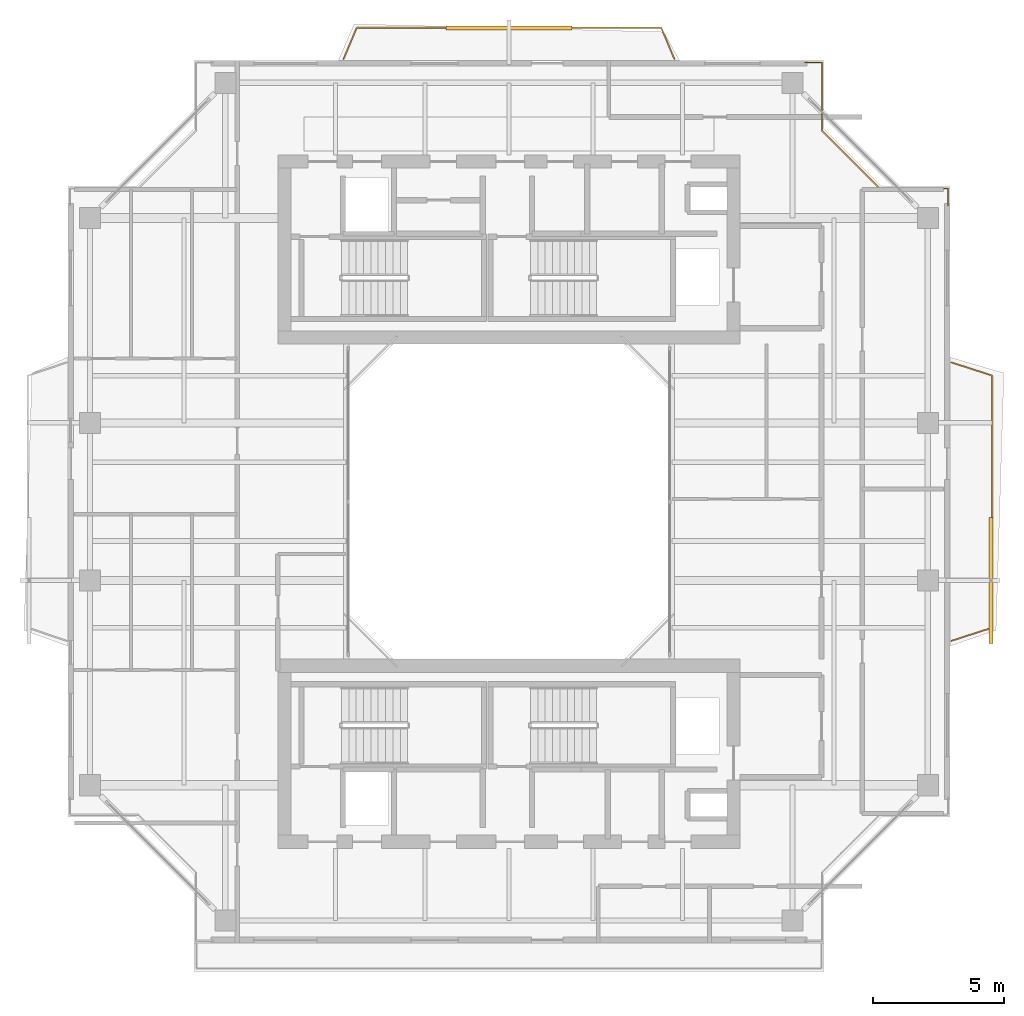
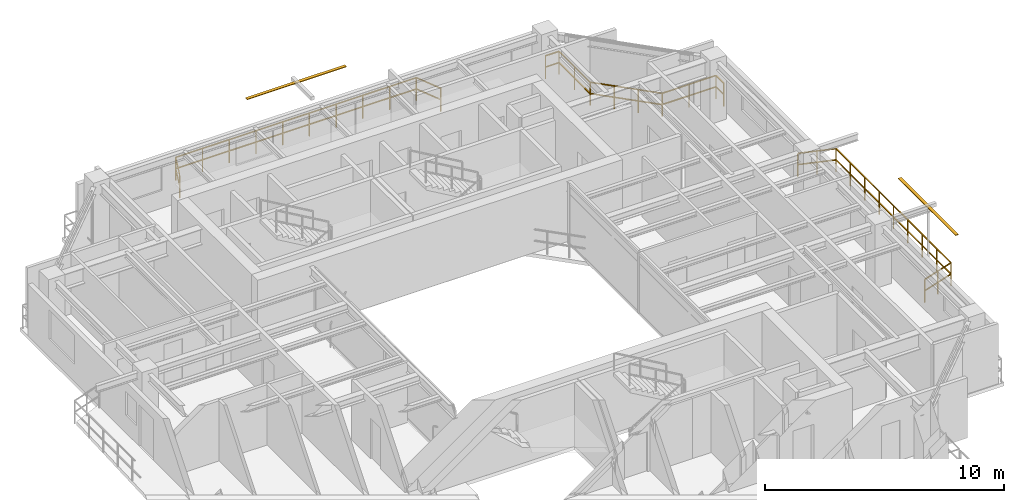
# One storey, part 16 of 16: 3 railings, 2 shading devices.
"""IFC4 building model written with IfcOpenShell, lengths in metres."""

from ifc_helpers import new_model, si_unit, direction, frame, origin, origin_2d, place, context, subcontext, project, spatial, rectangle, extrude, source, transform, mapped, material, material_profile, profile_set, type_object, element, save


model = new_model("IFC4")

# Units and contexts
model_context = context("Model", 3, precision=1e-05, world=origin(), true_north=direction((0.0, 1.0)))
body_context = subcontext(model_context, "Body", "Model", "MODEL_VIEW")
ifc_project = project(units=[si_unit("LENGTHUNIT", "METRE"), si_unit("AREAUNIT", "SQUARE_METRE"), si_unit("VOLUMEUNIT", "CUBIC_METRE"), si_unit("PLANEANGLEUNIT", "RADIAN"), si_unit("MASSUNIT", "GRAM", prefix="KILO"), si_unit("THERMODYNAMICTEMPERATUREUNIT", "KELVIN"), si_unit("POWERUNIT", "WATT")], contexts=[model_context])

# Site, building, storey
site_placement = place(None, origin())
site = spatial("IfcSite", under=ifc_project, at=site_placement, CompositionType="ELEMENT")
building_placement = place(site_placement, origin())
building = spatial("IfcBuilding", under=site, at=building_placement, Name="Qiaomeng Ring Towers", CompositionType="ELEMENT")
storey_placement = place(building_placement, frame((0.0, 0.0, 190.5)))
storey = spatial("IfcBuildingStorey", under=building, at=storey_placement, Name="L55", CompositionType="ELEMENT", Elevation=190.5)

# Railings
ifc_material_1 = material(Name="Low-E pale-green laminated safety glass", Category="glass")
railing_type = type_object("IfcRailingType", Name="ARC-RL-BAL1", PredefinedType="BALUSTRADE", material=ifc_material_1)
railing_1_placement = place(storey_placement, frame((35.719970703125, 34.27001953125, 0.0)))
element("IfcRailing", 1, at=railing_1_placement, inside=storey, type_object=railing_type, Name="L55 Balustrade ARC-BAL-NOTCH1-L55-NE", PredefinedType="BALUSTRADE", context=body_context, shape_type="SweptSolid", body=[
    extrude(rectangle(XDim=0.048095703125, YDim=0.048095703125, at=origin_2d()), frame((0.0, 0.0, 1.17578125), z_axis=(0.0, 1.0, 0.0), x_axis=(-1.0, 0.0, 0.0)), (0.0, 0.0, 1.0), 0.64990234375),
    extrude(rectangle(XDim=0.048095703125, YDim=0.048095703125, at=origin_2d()), frame((0.0, 0.0, 0.60009765625), z_axis=(0.0, 1.0, 0.0), x_axis=(-1.0, 0.0, 0.0)), (0.0, 0.0, 1.0), 0.64990234375),
    extrude(rectangle(XDim=0.048095703125, YDim=0.048095703125, at=origin_2d()), frame((0.0, 0.64990234375, 1.17578125), z_axis=(-1.0, 0.0, 0.0), x_axis=(0.0, -1.0, 0.0)), (0.0, 0.0, 1.0), 2.599853515625),
    extrude(rectangle(XDim=0.048095703125, YDim=0.048095703125, at=origin_2d()), frame((0.0, 0.64990234375, 0.60009765625), z_axis=(-1.0, 0.0, 0.0), x_axis=(0.0, -1.0, 0.0)), (0.0, 0.0, 1.0), 2.599853515625),
    extrude(rectangle(XDim=0.048095703125, YDim=0.048095703125, at=origin_2d()), frame((-2.599853515625, 0.64990234375, 1.17578125), z_axis=(-0.707106781187, 0.707106781187, 0.0), x_axis=(-0.707106781187, -0.707106781187, 0.0)), (0.0, 0.0, 1.0), 3.111572265625),
    extrude(rectangle(XDim=0.048095703125, YDim=0.048095703125, at=origin_2d()), frame((-2.599853515625, 0.64990234375, 0.60009765625), z_axis=(-0.707106781187, 0.707106781187, 0.0), x_axis=(-0.707106781187, -0.707106781187, 0.0)), (0.0, 0.0, 1.0), 3.111572265625),
    extrude(rectangle(XDim=0.048095703125, YDim=0.048095703125, at=origin_2d()), frame((-4.800048828125, 2.85009765625, 1.17578125), z_axis=(0.0, 1.0, 0.0), x_axis=(-1.0, 0.0, 0.0)), (0.0, 0.0, 1.0), 2.599853515625),
    extrude(rectangle(XDim=0.048095703125, YDim=0.048095703125, at=origin_2d()), frame((-4.800048828125, 2.85009765625, 0.60009765625), z_axis=(0.0, 1.0, 0.0), x_axis=(-1.0, 0.0, 0.0)), (0.0, 0.0, 1.0), 2.599853515625),
    extrude(rectangle(XDim=0.048095703125, YDim=0.048095703125, at=origin_2d()), frame((-4.800048828125, 5.449951171875, 1.17578125), z_axis=(-1.0, 0.0, 0.0), x_axis=(0.0, -1.0, 0.0)), (0.0, 0.0, 1.0), 0.64990234375),
    extrude(rectangle(XDim=0.048095703125, YDim=0.048095703125, at=origin_2d()), frame((-4.800048828125, 5.449951171875, 0.60009765625), z_axis=(-1.0, 0.0, 0.0), x_axis=(0.0, -1.0, 0.0)), (0.0, 0.0, 1.0), 0.64990234375),
    extrude(rectangle(XDim=0.0419921875, YDim=0.0419921875, at=origin_2d()), origin(), (0.0, 0.0, 1.0), 1.15185546875),
    extrude(rectangle(XDim=0.0419921875, YDim=0.0419921875, at=origin_2d()), frame((0.0, 0.64990234375, 0.0)), (0.0, 0.0, 1.0), 1.15185546875),
    extrude(rectangle(XDim=0.0419921875, YDim=0.0419921875, at=origin_2d()), frame((-1.2998046875, 0.64990234375, 0.0)), (0.0, 0.0, 1.0), 1.15185546875),
    extrude(rectangle(XDim=0.0419921875, YDim=0.0419921875, at=origin_2d()), frame((-2.599853515625, 0.64990234375, 0.0)), (0.0, 0.0, 1.0), 1.15185546875),
    extrude(rectangle(XDim=0.0419921875, YDim=0.0419921875, at=origin_2d()), frame((-3.333251953125, 1.38330078125, 0.0)), (0.0, 0.0, 1.0), 1.15185546875),
    extrude(rectangle(XDim=0.0419921875, YDim=0.0419921875, at=origin_2d()), frame((-4.066650390625, 2.11669921875, 0.0)), (0.0, 0.0, 1.0), 1.15185546875),
    extrude(rectangle(XDim=0.0419921875, YDim=0.0419921875, at=origin_2d()), frame((-4.800048828125, 2.85009765625, 0.0)), (0.0, 0.0, 1.0), 1.15185546875),
    extrude(rectangle(XDim=0.0419921875, YDim=0.0419921875, at=origin_2d()), frame((-4.800048828125, 4.14990234375, 0.0)), (0.0, 0.0, 1.0), 1.15185546875),
    extrude(rectangle(XDim=0.0419921875, YDim=0.0419921875, at=origin_2d()), frame((-4.800048828125, 5.449951171875, 0.0)), (0.0, 0.0, 1.0), 1.15185546875),
    extrude(rectangle(XDim=0.0419921875, YDim=0.0419921875, at=origin_2d()), frame((-5.449951171875, 5.449951171875, 0.0)), (0.0, 0.0, 1.0), 1.15185546875),
])
railing_2_placement = place(storey_placement, frame((35.85009765625, 17.699951171875, 0.0)))
element("IfcRailing", 2, at=railing_2_placement, inside=storey, type_object=railing_type, Name="L55 Balustrade ARC-BAL-L55-T1-E", PredefinedType="BALUSTRADE", context=body_context, shape_type="SweptSolid", body=[
    extrude(rectangle(XDim=0.048095703125, YDim=0.048095703125, at=origin_2d()), frame((0.0, 0.0, 1.17578125), z_axis=(0.951697313001, 0.307037822468, 0.0), x_axis=(-0.307037822468, 0.951697313001, 0.0)), (0.0, 0.0, 1.0), 1.62841796875),
    extrude(rectangle(XDim=0.048095703125, YDim=0.048095703125, at=origin_2d()), frame((0.0, 0.0, 0.60009765625), z_axis=(0.951697313001, 0.307037822468, 0.0), x_axis=(-0.307037822468, 0.951697313001, 0.0)), (0.0, 0.0, 1.0), 1.62841796875),
    extrude(rectangle(XDim=0.048095703125, YDim=0.048095703125, at=origin_2d()), frame((1.5498046875, 0.5, 1.17578125), z_axis=(0.0, 1.0, 0.0), x_axis=(-1.0, 0.0, 0.0)), (0.0, 0.0, 1.0), 9.60009765625),
    extrude(rectangle(XDim=0.048095703125, YDim=0.048095703125, at=origin_2d()), frame((1.5498046875, 0.5, 0.60009765625), z_axis=(0.0, 1.0, 0.0), x_axis=(-1.0, 0.0, 0.0)), (0.0, 0.0, 1.0), 9.60009765625),
    extrude(rectangle(XDim=0.048095703125, YDim=0.048095703125, at=origin_2d()), frame((1.5498046875, 10.10009765625, 1.17578125), z_axis=(-0.951697313001, 0.307037822468, 0.0), x_axis=(-0.307037822468, -0.951697313001, 0.0)), (0.0, 0.0, 1.0), 1.62841796875),
    extrude(rectangle(XDim=0.048095703125, YDim=0.048095703125, at=origin_2d()), frame((1.5498046875, 10.10009765625, 0.60009765625), z_axis=(-0.951697313001, 0.307037822468, 0.0), x_axis=(-0.307037822468, -0.951697313001, 0.0)), (0.0, 0.0, 1.0), 1.62841796875),
    extrude(rectangle(XDim=0.0419921875, YDim=0.0419921875, at=origin_2d()), origin(), (0.0, 0.0, 1.0), 1.15185546875),
    extrude(rectangle(XDim=0.0419921875, YDim=0.0419921875, at=origin_2d()), frame((0.77490234375, 0.25, 0.0)), (0.0, 0.0, 1.0), 1.15185546875),
    extrude(rectangle(XDim=0.0419921875, YDim=0.0419921875, at=origin_2d()), frame((1.5498046875, 0.5, 0.0)), (0.0, 0.0, 1.0), 1.15185546875),
    extrude(rectangle(XDim=0.0419921875, YDim=0.0419921875, at=origin_2d()), frame((1.5498046875, 1.699951171875, 0.0)), (0.0, 0.0, 1.0), 1.15185546875),
    extrude(rectangle(XDim=0.0419921875, YDim=0.0419921875, at=origin_2d()), frame((1.5498046875, 2.89990234375, 0.0)), (0.0, 0.0, 1.0), 1.15185546875),
    extrude(rectangle(XDim=0.0419921875, YDim=0.0419921875, at=origin_2d()), frame((1.5498046875, 4.10009765625, 0.0)), (0.0, 0.0, 1.0), 1.15185546875),
    extrude(rectangle(XDim=0.0419921875, YDim=0.0419921875, at=origin_2d()), frame((1.5498046875, 5.300048828125, 0.0)), (0.0, 0.0, 1.0), 1.15185546875),
    extrude(rectangle(XDim=0.0419921875, YDim=0.0419921875, at=origin_2d()), frame((1.5498046875, 6.5, 0.0)), (0.0, 0.0, 1.0), 1.15185546875),
    extrude(rectangle(XDim=0.0419921875, YDim=0.0419921875, at=origin_2d()), frame((1.5498046875, 7.7001953125, 0.0)), (0.0, 0.0, 1.0), 1.15185546875),
    extrude(rectangle(XDim=0.0419921875, YDim=0.0419921875, at=origin_2d()), frame((1.5498046875, 8.900146484375, 0.0)), (0.0, 0.0, 1.0), 1.15185546875),
    extrude(rectangle(XDim=0.0419921875, YDim=0.0419921875, at=origin_2d()), frame((1.5498046875, 10.10009765625, 0.0)), (0.0, 0.0, 1.0), 1.15185546875),
    extrude(rectangle(XDim=0.0419921875, YDim=0.0419921875, at=origin_2d()), frame((0.77490234375, 10.35009765625, 0.0)), (0.0, 0.0, 1.0), 1.15185546875),
    extrude(rectangle(XDim=0.0419921875, YDim=0.0419921875, at=origin_2d()), frame((0.0, 10.60009765625, 0.0)), (0.0, 0.0, 1.0), 1.15185546875),
])
railing_3_placement = place(storey_placement, frame((12.699951171875, 39.85009765625, 0.0)))
element("IfcRailing", 3, at=railing_3_placement, inside=storey, type_object=railing_type, Name="L55 Balustrade ARC-BAL-L55-T1-N", PredefinedType="BALUSTRADE", context=body_context, shape_type="SweptSolid", body=[
    extrude(rectangle(XDim=0.048095703125, YDim=0.048095703125, at=origin_2d()), frame((0.0, 0.0, 1.17578125), z_axis=(0.387380404006, 0.921919965394, 0.0), x_axis=(-0.921919965394, 0.387380404006, 0.0)), (0.0, 0.0, 1.0), 1.290771484375),
    extrude(rectangle(XDim=0.048095703125, YDim=0.048095703125, at=origin_2d()), frame((0.0, 0.0, 0.60009765625), z_axis=(0.387380404006, 0.921919965394, 0.0), x_axis=(-0.921919965394, 0.387380404006, 0.0)), (0.0, 0.0, 1.0), 1.290771484375),
    extrude(rectangle(XDim=0.048095703125, YDim=0.048095703125, at=origin_2d()), frame((0.5, 1.18994140625, 1.17578125), z_axis=(1.0, 0.0, 0.0), x_axis=(0.0, 1.0, 0.0)), (0.0, 0.0, 1.0), 11.60009765625),
    extrude(rectangle(XDim=0.048095703125, YDim=0.048095703125, at=origin_2d()), frame((0.5, 1.18994140625, 0.60009765625), z_axis=(1.0, 0.0, 0.0), x_axis=(0.0, 1.0, 0.0)), (0.0, 0.0, 1.0), 11.60009765625),
    extrude(rectangle(XDim=0.048095703125, YDim=0.048095703125, at=origin_2d()), frame((12.10009765625, 1.18994140625, 1.17578125), z_axis=(0.387380404006, -0.921919965394, 0.0), x_axis=(0.921919965394, 0.387380404006, 0.0)), (0.0, 0.0, 1.0), 1.290771484375),
    extrude(rectangle(XDim=0.048095703125, YDim=0.048095703125, at=origin_2d()), frame((12.10009765625, 1.18994140625, 0.60009765625), z_axis=(0.387380404006, -0.921919965394, 0.0), x_axis=(0.921919965394, 0.387380404006, 0.0)), (0.0, 0.0, 1.0), 1.290771484375),
    extrude(rectangle(XDim=0.0419921875, YDim=0.0419921875, at=origin_2d()), origin(), (0.0, 0.0, 1.0), 1.15185546875),
    extrude(rectangle(XDim=0.0419921875, YDim=0.0419921875, at=origin_2d()), frame((0.5, 1.18994140625, 0.0)), (0.0, 0.0, 1.0), 1.15185546875),
    extrude(rectangle(XDim=0.0419921875, YDim=0.0419921875, at=origin_2d()), frame((1.788818359375, 1.18994140625, 0.0)), (0.0, 0.0, 1.0), 1.15185546875),
    extrude(rectangle(XDim=0.0419921875, YDim=0.0419921875, at=origin_2d()), frame((3.077880859375, 1.18994140625, 0.0)), (0.0, 0.0, 1.0), 1.15185546875),
    extrude(rectangle(XDim=0.0419921875, YDim=0.0419921875, at=origin_2d()), frame((4.36669921875, 1.18994140625, 0.0)), (0.0, 0.0, 1.0), 1.15185546875),
    extrude(rectangle(XDim=0.0419921875, YDim=0.0419921875, at=origin_2d()), frame((5.655517578125, 1.18994140625, 0.0)), (0.0, 0.0, 1.0), 1.15185546875),
    extrude(rectangle(XDim=0.0419921875, YDim=0.0419921875, at=origin_2d()), frame((6.944580078125, 1.18994140625, 0.0)), (0.0, 0.0, 1.0), 1.15185546875),
    extrude(rectangle(XDim=0.0419921875, YDim=0.0419921875, at=origin_2d()), frame((8.2333984375, 1.18994140625, 0.0)), (0.0, 0.0, 1.0), 1.15185546875),
    extrude(rectangle(XDim=0.0419921875, YDim=0.0419921875, at=origin_2d()), frame((9.522216796875, 1.18994140625, 0.0)), (0.0, 0.0, 1.0), 1.15185546875),
    extrude(rectangle(XDim=0.0419921875, YDim=0.0419921875, at=origin_2d()), frame((10.811279296875, 1.18994140625, 0.0)), (0.0, 0.0, 1.0), 1.15185546875),
    extrude(rectangle(XDim=0.0419921875, YDim=0.0419921875, at=origin_2d()), frame((12.10009765625, 1.18994140625, 0.0)), (0.0, 0.0, 1.0), 1.15185546875),
    extrude(rectangle(XDim=0.0419921875, YDim=0.0419921875, at=origin_2d()), frame((12.60009765625, 0.0, 0.0)), (0.0, 0.0, 1.0), 1.15185546875),
])

# Shading devices
ifc_material_2 = material(Name="Fluorocarbon dark-grey aluminium", Category="aluminium")
ifc_material_profile = material_profile(ifc_material_2, rectangle(XDim=0.14990234375, YDim=0.034912109375, at=origin_2d()), Name="LV BLADE 150x35")
ifc_profile_set = profile_set([ifc_material_profile], Name="Fluorocarbon dark-grey aluminium")
shading_device_type = type_object("IfcShadingDeviceType", Name="ARC-SHD-SUN", PredefinedType="AWNING", material=ifc_profile_set)
shared_shape = source(origin(), body_context, "Body", "SweptSolid", [
    extrude(rectangle(XDim=0.14990234375, YDim=0.034912109375, at=origin_2d()), origin(), (0.0, 0.0, 1.0), 4.7998046875),
])
for number, where, z_axis, x_axis, name in (
    (4, (37.35009765625, 17.60009765625, 2.969970703125), (0.0, 1.0, 0.0), (-1.0, 0.0, 0.0), "L55 Ventilated Outer-Skin Sunshade E"),
    (5, (16.60009765625, 41.0400390625, 2.969970703125), (1.0, 0.0, 0.0), (0.0, 1.0, 0.0), "L55 Ventilated Outer-Skin Sunshade N"),
):
    element("IfcShadingDevice", number, at=place(storey_placement, frame(where, z_axis=z_axis, x_axis=x_axis)), inside=storey, type_object=shading_device_type, Name=name, PredefinedType="AWNING", context=body_context, shape_type="MappedRepresentation", body=[
        mapped(shared_shape, transform((0.0, 0.0, 0.0), x_axis=(1.0, 0.0, 0.0), y_axis=(0.0, 1.0, 0.0), z_axis=(0.0, 0.0, 1.0), scale=1.0)),
    ])

save(model, "model.ifc")
